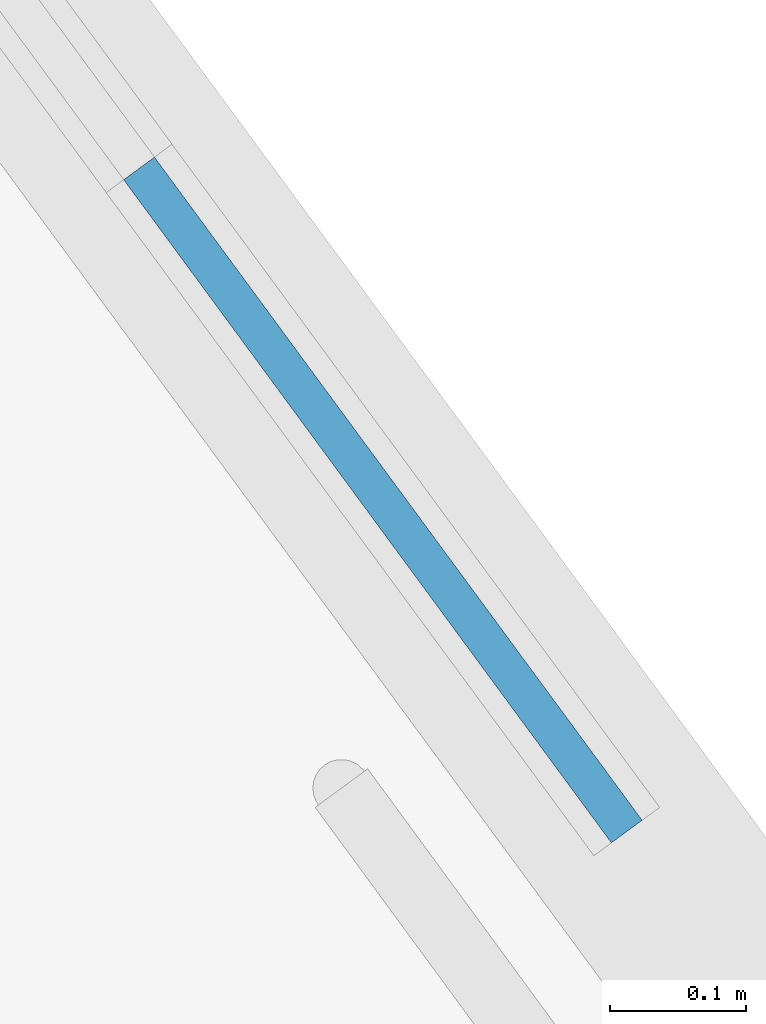
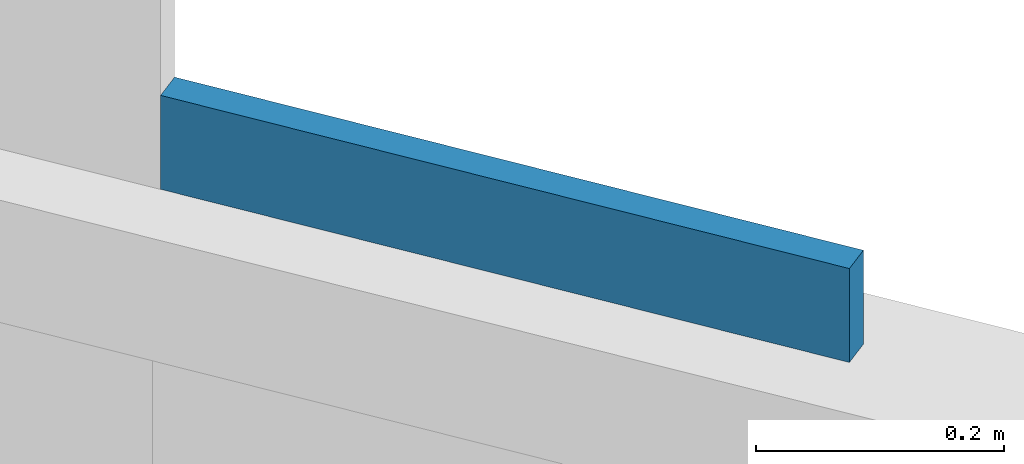
# One storey, part 18 of 25: 1 plate, 1 element without a shape of its own.
"""IFC4 building model written with IfcOpenShell, lengths in metres."""

from ifc_helpers import new_model, si_unit, direction, frame, origin, origin_2d, place, context, subcontext, project, spatial, rectangle, extrude, material, layer, layer_set, type_object, element, aggregate, save


model = new_model("IFC4")

# Units and contexts
model_context = context("Model", 3, precision=1e-05, world=origin(), true_north=direction((0.0, 1.0)))
body_context = subcontext(model_context, "Body", "Model", "MODEL_VIEW")
ifc_project = project(units=[si_unit("LENGTHUNIT", "METRE"), si_unit("AREAUNIT", "SQUARE_METRE"), si_unit("VOLUMEUNIT", "CUBIC_METRE"), si_unit("PLANEANGLEUNIT", "RADIAN"), si_unit("MASSUNIT", "GRAM", prefix="KILO")], contexts=[model_context])

# Site, building, storey
site_placement = place(None, origin())
site = spatial("IfcSite", under=ifc_project, at=site_placement, CompositionType="ELEMENT")
building_placement = place(site_placement, origin())
building = spatial("IfcBuilding", under=site, at=building_placement, Name="Spindle Arch Residences", CompositionType="ELEMENT")
storey_placement = place(building_placement, frame((0.0, 0.0, 144.89990234375)))
storey = spatial("IfcBuildingStorey", under=building, at=storey_placement, Name="L36", CompositionType="ELEMENT", Elevation=144.89990234375)

# Curtain wall, plate
ifc_material_1 = material(Name="Aluminium bronze unitised frame with tinted glass", Category="aluminium")
ifc_layer_1 = layer(ifc_material_1, 0.159912109375)
ifc_layer_set_1 = layer_set([ifc_layer_1], Name="CW-E double-height winter garden wall")
curtain_wall_type = type_object("IfcCurtainWallType", Name="CW-E double-height winter garden wall", PredefinedType="NOTDEFINED", material=ifc_layer_set_1)
curtain_wall_placement = place(storey_placement, origin())
curtain_wall = element("IfcCurtainWall", 1, at=curtain_wall_placement, inside=storey, type_object=curtain_wall_type, Name="CW-E L36 run 1", PredefinedType="NOTDEFINED")
ifc_material_2 = material(Name="Tinted laminated glass 28 mm", Category="glass")
ifc_layer_2 = layer(ifc_material_2, 0.028076171875)
ifc_layer_set_2 = layer_set([ifc_layer_2], Name="Tinted glass panel 28 mm")
plate_type = type_object("IfcPlateType", Name="Tinted glass panel 28 mm", PredefinedType="CURTAIN_PANEL", material=ifc_layer_set_2)
plate_placement = place(storey_placement, frame((27.295166015625, -1.613525390625, 3.460205078125), z_axis=(0.0, 0.0, 1.0), x_axis=(-0.592481951039, 0.805583724819, 0.0)))
plate = element("IfcPlate", 2, at=plate_placement, type_object=plate_type, Name="CW-E panel 05b.1", PredefinedType="CURTAIN_PANEL", context=body_context, shape_type="SweptSolid", body=[
    extrude(rectangle(XDim=0.60546875, YDim=0.028076171875, at=origin_2d()), origin(), (0.0, 0.0, 1.0), 0.09228515625),
])
aggregate(curtain_wall, [plate])

save(model, "model.ifc")
